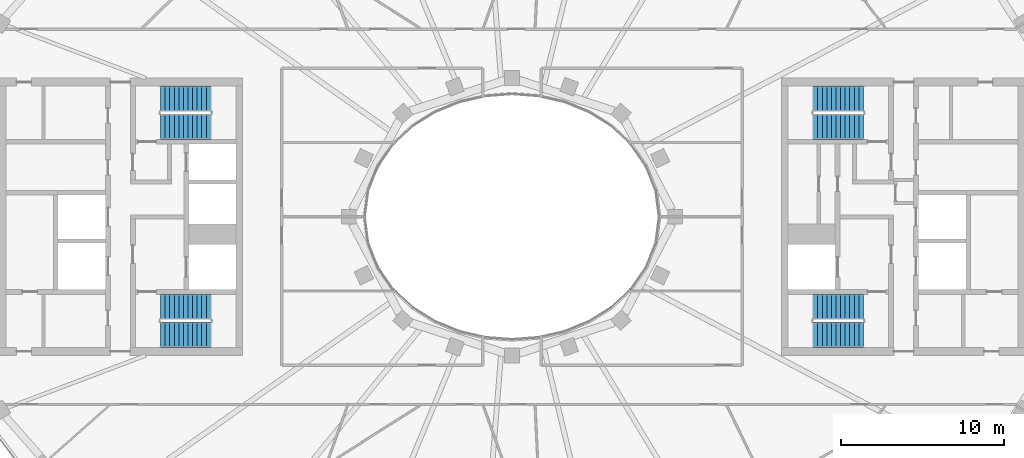
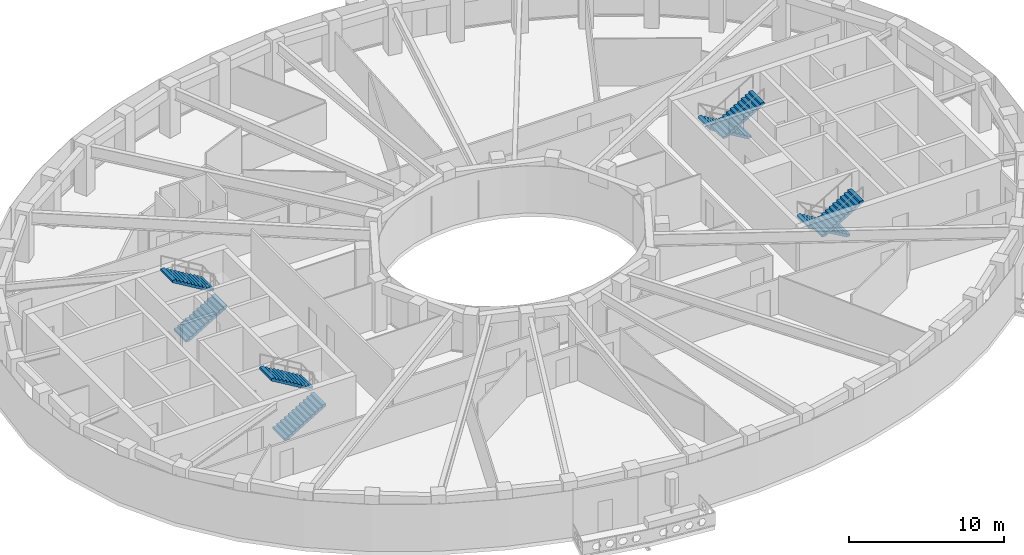
# One storey, part 7 of 16: 8 stair flights, 4 elements without a shape of their own.
"""IFC4 building model written with IfcOpenShell, lengths in metres."""

import ifcopenshell
import ifcopenshell.guid

model = None  # the IFC model being written
_history = None  # IfcOwnerHistory: only IFC2X3 demands one
_inside = {}  # id of a spatial element -> (the spatial element, [elements in it])
_under = {}  # id of a project, library or spatial element -> (it, [spatial elements below it])
_declared = {}  # id of a project -> (the project, [libraries it declares])
_typed = {}  # id of a type object -> (the type object, [elements of that type])
_made_of = {}  # id of a material, layer set ... -> (it, [elements and type objects made of it])


def new_model(schema):
    """Start an empty IFC model of exactly this schema.

    Asked for "IFC4X3", IfcOpenShell would pick the latest addendum, in which some entities
    have other attributes; the version numbers below select the first issue.
    IFC2X3 requires an IfcOwnerHistory on every rooted entity: one is made here for all.
    """
    global model, _history
    if schema == "IFC4X3":
        model = ifcopenshell.file(schema_version=(4, 3, 0, 0))
    else:
        model = ifcopenshell.file(schema=schema)
    _inside.clear()
    _under.clear()
    _declared.clear()
    _typed.clear()
    _made_of.clear()
    _history = None
    if model.schema == "IFC2X3":
        org = make("IfcOrganization", Name="unknown")
        user = make(
            "IfcPersonAndOrganization",
            ThePerson=make("IfcPerson", FamilyName="unknown"),
            TheOrganization=org,
        )
        app = make(
            "IfcApplication",
            ApplicationDeveloper=org,
            Version="unknown",
            ApplicationFullName="unknown",
            ApplicationIdentifier="unknown",
        )
        _history = make(
            "IfcOwnerHistory",
            OwningUser=user,
            OwningApplication=app,
            ChangeAction="ADDED",
            CreationDate=0,
        )
    return model


def make(cls, **values):
    """One entity of the class cls with the attributes given. An attribute that is None is left unset."""
    return model.create_entity(
        cls, **{name: value for name, value in values.items() if value is not None}
    )


def rooted(cls, **values):
    """An entity with a GlobalId (a new one), such as an element, a storey or a relation."""
    return make(cls, GlobalId=ifcopenshell.guid.new(), OwnerHistory=_history, **values)


def si_unit(unit_type, name, prefix=None):
    """IfcSIUnit, for example si_unit("LENGTHUNIT", "METRE", prefix="MILLI")."""
    return make("IfcSIUnit", UnitType=unit_type, Prefix=prefix, Name=name)


def assignment(units):
    """IfcUnitAssignment: the units of a project."""
    return None if units is None else make("IfcUnitAssignment", Units=units)


def point(xyz):
    """IfcCartesianPoint."""
    return None if xyz is None else make("IfcCartesianPoint", Coordinates=xyz)


def direction(xyz):
    """IfcDirection."""
    return None if xyz is None else make("IfcDirection", DirectionRatios=xyz)


def frame(location, z_axis=None, x_axis=None):
    """IfcAxis2Placement3D, a coordinate frame: its origin and axes. An axis left out is left unset."""
    return make(
        "IfcAxis2Placement3D",
        Location=point(location),
        Axis=direction(z_axis),
        RefDirection=direction(x_axis),
    )


def origin():
    """The frame at (0, 0, 0) with its axes left unset."""
    return frame((0.0, 0.0, 0.0))


def place(relative_to, where):
    """IfcLocalPlacement: puts the frame where relative to a parent placement (None: the world)."""
    return make(
        "IfcLocalPlacement", PlacementRelTo=relative_to, RelativePlacement=where
    )


def context(
    kind, dimensions, precision=None, world=None, true_north=None, identifier=None
):
    """IfcGeometricRepresentationContext, for example the 3D "Model" context."""
    return make(
        "IfcGeometricRepresentationContext",
        ContextIdentifier=identifier,
        ContextType=kind,
        CoordinateSpaceDimension=dimensions,
        Precision=precision,
        WorldCoordinateSystem=world,
        TrueNorth=true_north,
    )


def subcontext(parent, identifier, kind, view, scale=None):
    """IfcGeometricRepresentationSubContext, for example "Body" below "Model"."""
    return make(
        "IfcGeometricRepresentationSubContext",
        ContextIdentifier=identifier,
        ContextType=kind,
        ParentContext=parent,
        TargetScale=scale,
        TargetView=view,
    )


def project(units=None, contexts=None):
    """IfcProject with its units and contexts."""
    return rooted(
        "IfcProject",
        Name="project",
        RepresentationContexts=contexts,
        UnitsInContext=assignment(units),
    )


def spatial(cls, under=None, at=None, **own):
    """A site, building, storey or space (cls), placed at a placement, below another one or the project."""
    s = rooted(cls, ObjectPlacement=at, **own)
    if under is not None:
        _under.setdefault(under.id(), (under, []))[1].append(s)
    return s


def polyline(points):
    """IfcPolyline through the points."""
    return make("IfcPolyline", Points=[point(p) for p in points])


def outline(outer, holes=None, kind="AREA"):
    """IfcArbitraryClosedProfileDef: a profile drawn as a closed curve; with holes, ...WithVoids."""
    if holes is None:
        return make("IfcArbitraryClosedProfileDef", ProfileType=kind, OuterCurve=outer)
    return make(
        "IfcArbitraryProfileDefWithVoids",
        ProfileType=kind,
        OuterCurve=outer,
        InnerCurves=holes,
    )


def extrude(swept, where, along, depth):
    """IfcExtrudedAreaSolid: the profile swept, set in the frame where, extruded along a direction by depth."""
    return make(
        "IfcExtrudedAreaSolid",
        SweptArea=swept,
        Position=where,
        ExtrudedDirection=direction(along),
        Depth=depth,
    )


def shape(context_of_items, identifier, shape_type, items):
    """IfcShapeRepresentation: the items that make up one representation, for example the "Body"."""
    return make(
        "IfcShapeRepresentation",
        ContextOfItems=context_of_items,
        RepresentationIdentifier=identifier,
        RepresentationType=shape_type,
        Items=items,
    )


def material(Name=None, Category=None):
    """IfcMaterial."""
    return make("IfcMaterial", Name=Name, Category=Category)


def made_of(thing, what):
    """Note that an element or type object is made of a material, layer set ...; save() writes the relation."""
    if what is not None:
        _made_of.setdefault(what.id(), (what, []))[1].append(thing)
    return thing


def type_object(cls, material=None, **own):
    """A type object (cls), such as IfcWallType, which elements share."""
    return made_of(rooted(cls, **own), material)


def element(
    cls,
    number,
    at=None,
    inside=None,
    cuts=None,
    type_object=None,
    material=None,
    context=None,
    identifier="Body",
    shape_type=None,
    held_by="IfcProductDefinitionShape",
    body=None,
    shapes=None,
    **own,
):
    """One element of the class cls, such as IfcWall. Its Tag is "e" and its number.

    at: its placement. inside: the storey or other place that contains it. cuts: it is an
    opening in that element (IfcRelVoidsElement). A single representation is given by context,
    identifier, shape_type and body (its items); several are given by shapes. held_by: the class
    of the entity that holds the representations. save() writes the other relations.
    """
    e = rooted(cls, Tag="e%d" % number, ObjectPlacement=at, **own)
    if body is not None:
        shapes = [shape(context, identifier, shape_type, body)]
    if shapes is not None:
        e.Representation = make(held_by, Representations=shapes)
    if inside is not None:
        _inside.setdefault(inside.id(), (inside, []))[1].append(e)
    if cuts is not None:
        rooted(
            "IfcRelVoidsElement", RelatingBuildingElement=cuts, RelatedOpeningElement=e
        )
    if type_object is not None:
        _typed.setdefault(type_object.id(), (type_object, []))[1].append(e)
    return made_of(e, material)


def aggregate(whole, parts):
    """IfcRelAggregates: a whole, such as a stair, and the parts it consists of."""
    return rooted("IfcRelAggregates", RelatingObject=whole, RelatedObjects=parts)


def save(model, path):
    """Write the relations noted so far, then the file.

    IfcRelAggregates (storeys below a building ...), IfcRelContainedInSpatialStructure (elements
    in a storey), IfcRelDefinesByType, IfcRelAssociatesMaterial and IfcRelDeclares: one each for
    every whole, place, type object, material and project.
    """
    for whole, parts in _under.values():
        aggregate(whole, parts)
    for where, things in _inside.values():
        rooted(
            "IfcRelContainedInSpatialStructure",
            RelatedElements=things,
            RelatingStructure=where,
        )
    for kind, things in _typed.values():
        rooted("IfcRelDefinesByType", RelatedObjects=things, RelatingType=kind)
    for what, things in _made_of.values():
        rooted("IfcRelAssociatesMaterial", RelatedObjects=things, RelatingMaterial=what)
    for by, libraries in _declared.values():
        rooted("IfcRelDeclares", RelatingContext=by, RelatedDefinitions=libraries)
    model.write(path)


model = new_model("IFC4")

# Units and contexts
model_context = context("Model", 3, precision=1e-05, world=origin(), true_north=direction((0.0, 1.0)))
body_context = subcontext(model_context, "Body", "Model", "MODEL_VIEW")
ifc_project = project(units=[si_unit("LENGTHUNIT", "METRE"), si_unit("AREAUNIT", "SQUARE_METRE"), si_unit("VOLUMEUNIT", "CUBIC_METRE"), si_unit("PLANEANGLEUNIT", "RADIAN"), si_unit("MASSUNIT", "GRAM", prefix="KILO")], contexts=[model_context])

# Site, building, storey
site_placement = place(None, origin())
site = spatial("IfcSite", under=ifc_project, at=site_placement, CompositionType="ELEMENT")
building_placement = place(site_placement, origin())
building = spatial("IfcBuilding", under=site, at=building_placement, Name="Noorbagh Ring Tower", CompositionType="ELEMENT")
storey_placement = place(building_placement, frame((0.0, 0.0, 303.0)))
storey = spatial("IfcBuildingStorey", under=building, at=storey_placement, Name="L65", CompositionType="ELEMENT", Elevation=303.0)

# Stair, stair flights
ifc_material_1 = material(Name="Concrete C40/50", Category="concrete")
stair_type = type_object("IfcStairType", Name="CORE-STAIR", PredefinedType="HALF_TURN_STAIR", material=ifc_material_1)
stair_1_placement = place(storey_placement, origin())
stair_1 = element("IfcStair", 1, at=stair_1_placement, inside=storey, type_object=stair_type, Name="L65 Exit stair ST1", PredefinedType="HALF_TURN_STAIR")
ifc_material_2 = material(Name="Concrete C40/50", Category="concrete")
stair_flight_type = type_object("IfcStairFlightType", Name="CORE-STAIR-FLIGHT", PredefinedType="STRAIGHT", material=ifc_material_2)
stair_flight_1_placement = place(storey_placement, frame((-21.530029296875, 5.52490234375, 0.0), z_axis=(0.0, 0.0, 1.0), x_axis=(1.0, 0.0, 0.0)))
stair_flight_1 = element("IfcStairFlight", 2, at=stair_flight_1_placement, type_object=stair_flight_type, Name="ST1 flight 1", NumberOfRisers=12, NumberOfTreads=11, PredefinedType="STRAIGHT", RiserHeight=0.166666667, TreadLength=0.28, context=body_context, shape_type="SweptSolid", body=[
    extrude(outline(polyline([(0.0, 0.0), (0.0, 0.166748046875), (0.280029296875, 0.166748046875), (0.280029296875, 0.333251953125), (0.56005859375, 0.333251953125), (0.56005859375, 0.5), (0.840087890625, 0.5), (0.840087890625, 0.666748046875), (1.1201171875, 0.666748046875), (1.1201171875, 0.833251953125), (1.39990234375, 0.833251953125), (1.39990234375, 1.0), (1.679931640625, 1.0), (1.679931640625, 1.166748046875), (1.9599609375, 1.166748046875), (1.9599609375, 1.333251953125), (2.239990234375, 1.333251953125), (2.239990234375, 1.5), (2.52001953125, 1.5), (2.52001953125, 1.666748046875), (2.800048828125, 1.666748046875), (2.800048828125, 1.833251953125), (3.080078125, 1.833251953125), (3.080078125, 2.0), (3.080078125, 1.658935546875), (0.29296875, 0.0), (0.0, 0.0)])), frame((0.0, 0.77490234375, 0.0), z_axis=(0.0, -1.0, 0.0), x_axis=(1.0, 0.0, 0.0)), (0.0, 0.0, 1.0), 1.550048828125),
])
stair_flight_2_placement = place(storey_placement, frame((-18.449951171875, 7.22509765625, 2.0), z_axis=(0.0, 0.0, 1.0), x_axis=(-1.0, 0.0, 0.0)))
stair_flight_2 = element("IfcStairFlight", 3, at=stair_flight_2_placement, type_object=stair_flight_type, Name="ST1 flight 2", NumberOfRisers=12, NumberOfTreads=11, PredefinedType="STRAIGHT", RiserHeight=0.166666667, TreadLength=0.28, context=body_context, shape_type="SweptSolid", body=[
    extrude(outline(polyline([(0.0, 0.0), (0.0, 0.166748046875), (0.280029296875, 0.166748046875), (0.280029296875, 0.333251953125), (0.56005859375, 0.333251953125), (0.56005859375, 0.5), (0.840087890625, 0.5), (0.840087890625, 0.666748046875), (1.1201171875, 0.666748046875), (1.1201171875, 0.833251953125), (1.39990234375, 0.833251953125), (1.39990234375, 1.0), (1.679931640625, 1.0), (1.679931640625, 1.166748046875), (1.9599609375, 1.166748046875), (1.9599609375, 1.333251953125), (2.239990234375, 1.333251953125), (2.239990234375, 1.5), (2.52001953125, 1.5), (2.52001953125, 1.666748046875), (2.800048828125, 1.666748046875), (2.800048828125, 1.833251953125), (3.080078125, 1.833251953125), (3.080078125, 2.0), (3.080078125, 1.658935546875), (0.29296875, 0.0), (0.0, 0.0)])), frame((0.0, 0.77490234375, 0.0), z_axis=(0.0, -1.0, 0.0), x_axis=(1.0, 0.0, 0.0)), (0.0, 0.0, 1.0), 1.550048828125),
])
aggregate(stair_1, [stair_flight_1, stair_flight_2])

stair_2_placement = place(storey_placement, origin())
stair_2 = element("IfcStair", 4, at=stair_2_placement, inside=storey, type_object=stair_type, Name="L65 Exit stair ST2", PredefinedType="HALF_TURN_STAIR")
stair_flight_3_placement = place(storey_placement, frame((-21.530029296875, -7.22509765625, 0.0), z_axis=(0.0, 0.0, 1.0), x_axis=(1.0, 0.0, 0.0)))
stair_flight_3 = element("IfcStairFlight", 5, at=stair_flight_3_placement, type_object=stair_flight_type, Name="ST2 flight 1", NumberOfRisers=12, NumberOfTreads=11, PredefinedType="STRAIGHT", RiserHeight=0.166666667, TreadLength=0.28, context=body_context, shape_type="SweptSolid", body=[
    extrude(outline(polyline([(0.0, 0.0), (0.0, 0.166748046875), (0.280029296875, 0.166748046875), (0.280029296875, 0.333251953125), (0.56005859375, 0.333251953125), (0.56005859375, 0.5), (0.840087890625, 0.5), (0.840087890625, 0.666748046875), (1.1201171875, 0.666748046875), (1.1201171875, 0.833251953125), (1.39990234375, 0.833251953125), (1.39990234375, 1.0), (1.679931640625, 1.0), (1.679931640625, 1.166748046875), (1.9599609375, 1.166748046875), (1.9599609375, 1.333251953125), (2.239990234375, 1.333251953125), (2.239990234375, 1.5), (2.52001953125, 1.5), (2.52001953125, 1.666748046875), (2.800048828125, 1.666748046875), (2.800048828125, 1.833251953125), (3.080078125, 1.833251953125), (3.080078125, 2.0), (3.080078125, 1.658935546875), (0.29296875, 0.0), (0.0, 0.0)])), frame((0.0, 0.77490234375, 0.0), z_axis=(0.0, -1.0, 0.0), x_axis=(1.0, 0.0, 0.0)), (0.0, 0.0, 1.0), 1.550048828125),
])
stair_flight_4_placement = place(storey_placement, frame((-18.449951171875, -5.52490234375, 2.0), z_axis=(0.0, 0.0, 1.0), x_axis=(-1.0, 0.0, 0.0)))
stair_flight_4 = element("IfcStairFlight", 6, at=stair_flight_4_placement, type_object=stair_flight_type, Name="ST2 flight 2", NumberOfRisers=12, NumberOfTreads=11, PredefinedType="STRAIGHT", RiserHeight=0.166666667, TreadLength=0.28, context=body_context, shape_type="SweptSolid", body=[
    extrude(outline(polyline([(0.0, 0.0), (0.0, 0.166748046875), (0.280029296875, 0.166748046875), (0.280029296875, 0.333251953125), (0.56005859375, 0.333251953125), (0.56005859375, 0.5), (0.840087890625, 0.5), (0.840087890625, 0.666748046875), (1.1201171875, 0.666748046875), (1.1201171875, 0.833251953125), (1.39990234375, 0.833251953125), (1.39990234375, 1.0), (1.679931640625, 1.0), (1.679931640625, 1.166748046875), (1.9599609375, 1.166748046875), (1.9599609375, 1.333251953125), (2.239990234375, 1.333251953125), (2.239990234375, 1.5), (2.52001953125, 1.5), (2.52001953125, 1.666748046875), (2.800048828125, 1.666748046875), (2.800048828125, 1.833251953125), (3.080078125, 1.833251953125), (3.080078125, 2.0), (3.080078125, 1.658935546875), (0.29296875, 0.0), (0.0, 0.0)])), frame((0.0, 0.77490234375, 0.0), z_axis=(0.0, -1.0, 0.0), x_axis=(1.0, 0.0, 0.0)), (0.0, 0.0, 1.0), 1.550048828125),
])
aggregate(stair_2, [stair_flight_3, stair_flight_4])

stair_3_placement = place(storey_placement, origin())
stair_3 = element("IfcStair", 7, at=stair_3_placement, inside=storey, type_object=stair_type, Name="L65 Exit stair ST3", PredefinedType="HALF_TURN_STAIR")
stair_flight_5_placement = place(storey_placement, frame((21.530029296875, 7.22509765625, 0.0), z_axis=(0.0, 0.0, 1.0), x_axis=(-1.0, 0.0, 0.0)))
stair_flight_5 = element("IfcStairFlight", 8, at=stair_flight_5_placement, type_object=stair_flight_type, Name="ST3 flight 1", NumberOfRisers=12, NumberOfTreads=11, PredefinedType="STRAIGHT", RiserHeight=0.166666667, TreadLength=0.28, context=body_context, shape_type="SweptSolid", body=[
    extrude(outline(polyline([(0.0, 0.0), (0.0, 0.166748046875), (0.280029296875, 0.166748046875), (0.280029296875, 0.333251953125), (0.56005859375, 0.333251953125), (0.56005859375, 0.5), (0.840087890625, 0.5), (0.840087890625, 0.666748046875), (1.1201171875, 0.666748046875), (1.1201171875, 0.833251953125), (1.39990234375, 0.833251953125), (1.39990234375, 1.0), (1.679931640625, 1.0), (1.679931640625, 1.166748046875), (1.9599609375, 1.166748046875), (1.9599609375, 1.333251953125), (2.239990234375, 1.333251953125), (2.239990234375, 1.5), (2.52001953125, 1.5), (2.52001953125, 1.666748046875), (2.800048828125, 1.666748046875), (2.800048828125, 1.833251953125), (3.080078125, 1.833251953125), (3.080078125, 2.0), (3.080078125, 1.658935546875), (0.29296875, 0.0), (0.0, 0.0)])), frame((0.0, 0.77490234375, 0.0), z_axis=(0.0, -1.0, 0.0), x_axis=(1.0, 0.0, 0.0)), (0.0, 0.0, 1.0), 1.550048828125),
])
stair_flight_6_placement = place(storey_placement, frame((18.449951171875, 5.52490234375, 2.0), z_axis=(0.0, 0.0, 1.0), x_axis=(1.0, 0.0, 0.0)))
stair_flight_6 = element("IfcStairFlight", 9, at=stair_flight_6_placement, type_object=stair_flight_type, Name="ST3 flight 2", NumberOfRisers=12, NumberOfTreads=11, PredefinedType="STRAIGHT", RiserHeight=0.166666667, TreadLength=0.28, context=body_context, shape_type="SweptSolid", body=[
    extrude(outline(polyline([(0.0, 0.0), (0.0, 0.166748046875), (0.280029296875, 0.166748046875), (0.280029296875, 0.333251953125), (0.56005859375, 0.333251953125), (0.56005859375, 0.5), (0.840087890625, 0.5), (0.840087890625, 0.666748046875), (1.1201171875, 0.666748046875), (1.1201171875, 0.833251953125), (1.39990234375, 0.833251953125), (1.39990234375, 1.0), (1.679931640625, 1.0), (1.679931640625, 1.166748046875), (1.9599609375, 1.166748046875), (1.9599609375, 1.333251953125), (2.239990234375, 1.333251953125), (2.239990234375, 1.5), (2.52001953125, 1.5), (2.52001953125, 1.666748046875), (2.800048828125, 1.666748046875), (2.800048828125, 1.833251953125), (3.080078125, 1.833251953125), (3.080078125, 2.0), (3.080078125, 1.658935546875), (0.29296875, 0.0), (0.0, 0.0)])), frame((0.0, 0.77490234375, 0.0), z_axis=(0.0, -1.0, 0.0), x_axis=(1.0, 0.0, 0.0)), (0.0, 0.0, 1.0), 1.550048828125),
])
aggregate(stair_3, [stair_flight_5, stair_flight_6])

stair_4_placement = place(storey_placement, origin())
stair_4 = element("IfcStair", 10, at=stair_4_placement, inside=storey, type_object=stair_type, Name="L65 Exit stair ST4", PredefinedType="HALF_TURN_STAIR")
stair_flight_7_placement = place(storey_placement, frame((21.530029296875, -5.52490234375, 0.0), z_axis=(0.0, 0.0, 1.0), x_axis=(-1.0, 0.0, 0.0)))
stair_flight_7 = element("IfcStairFlight", 11, at=stair_flight_7_placement, type_object=stair_flight_type, Name="ST4 flight 1", NumberOfRisers=12, NumberOfTreads=11, PredefinedType="STRAIGHT", RiserHeight=0.166666667, TreadLength=0.28, context=body_context, shape_type="SweptSolid", body=[
    extrude(outline(polyline([(0.0, 0.0), (0.0, 0.166748046875), (0.280029296875, 0.166748046875), (0.280029296875, 0.333251953125), (0.56005859375, 0.333251953125), (0.56005859375, 0.5), (0.840087890625, 0.5), (0.840087890625, 0.666748046875), (1.1201171875, 0.666748046875), (1.1201171875, 0.833251953125), (1.39990234375, 0.833251953125), (1.39990234375, 1.0), (1.679931640625, 1.0), (1.679931640625, 1.166748046875), (1.9599609375, 1.166748046875), (1.9599609375, 1.333251953125), (2.239990234375, 1.333251953125), (2.239990234375, 1.5), (2.52001953125, 1.5), (2.52001953125, 1.666748046875), (2.800048828125, 1.666748046875), (2.800048828125, 1.833251953125), (3.080078125, 1.833251953125), (3.080078125, 2.0), (3.080078125, 1.658935546875), (0.29296875, 0.0), (0.0, 0.0)])), frame((0.0, 0.77490234375, 0.0), z_axis=(0.0, -1.0, 0.0), x_axis=(1.0, 0.0, 0.0)), (0.0, 0.0, 1.0), 1.550048828125),
])
stair_flight_8_placement = place(storey_placement, frame((18.449951171875, -7.22509765625, 2.0), z_axis=(0.0, 0.0, 1.0), x_axis=(1.0, 0.0, 0.0)))
stair_flight_8 = element("IfcStairFlight", 12, at=stair_flight_8_placement, type_object=stair_flight_type, Name="ST4 flight 2", NumberOfRisers=12, NumberOfTreads=11, PredefinedType="STRAIGHT", RiserHeight=0.166666667, TreadLength=0.28, context=body_context, shape_type="SweptSolid", body=[
    extrude(outline(polyline([(0.0, 0.0), (0.0, 0.166748046875), (0.280029296875, 0.166748046875), (0.280029296875, 0.333251953125), (0.56005859375, 0.333251953125), (0.56005859375, 0.5), (0.840087890625, 0.5), (0.840087890625, 0.666748046875), (1.1201171875, 0.666748046875), (1.1201171875, 0.833251953125), (1.39990234375, 0.833251953125), (1.39990234375, 1.0), (1.679931640625, 1.0), (1.679931640625, 1.166748046875), (1.9599609375, 1.166748046875), (1.9599609375, 1.333251953125), (2.239990234375, 1.333251953125), (2.239990234375, 1.5), (2.52001953125, 1.5), (2.52001953125, 1.666748046875), (2.800048828125, 1.666748046875), (2.800048828125, 1.833251953125), (3.080078125, 1.833251953125), (3.080078125, 2.0), (3.080078125, 1.658935546875), (0.29296875, 0.0), (0.0, 0.0)])), frame((0.0, 0.77490234375, 0.0), z_axis=(0.0, -1.0, 0.0), x_axis=(1.0, 0.0, 0.0)), (0.0, 0.0, 1.0), 1.550048828125),
])
aggregate(stair_4, [stair_flight_7, stair_flight_8])

save(model, "model.ifc")
